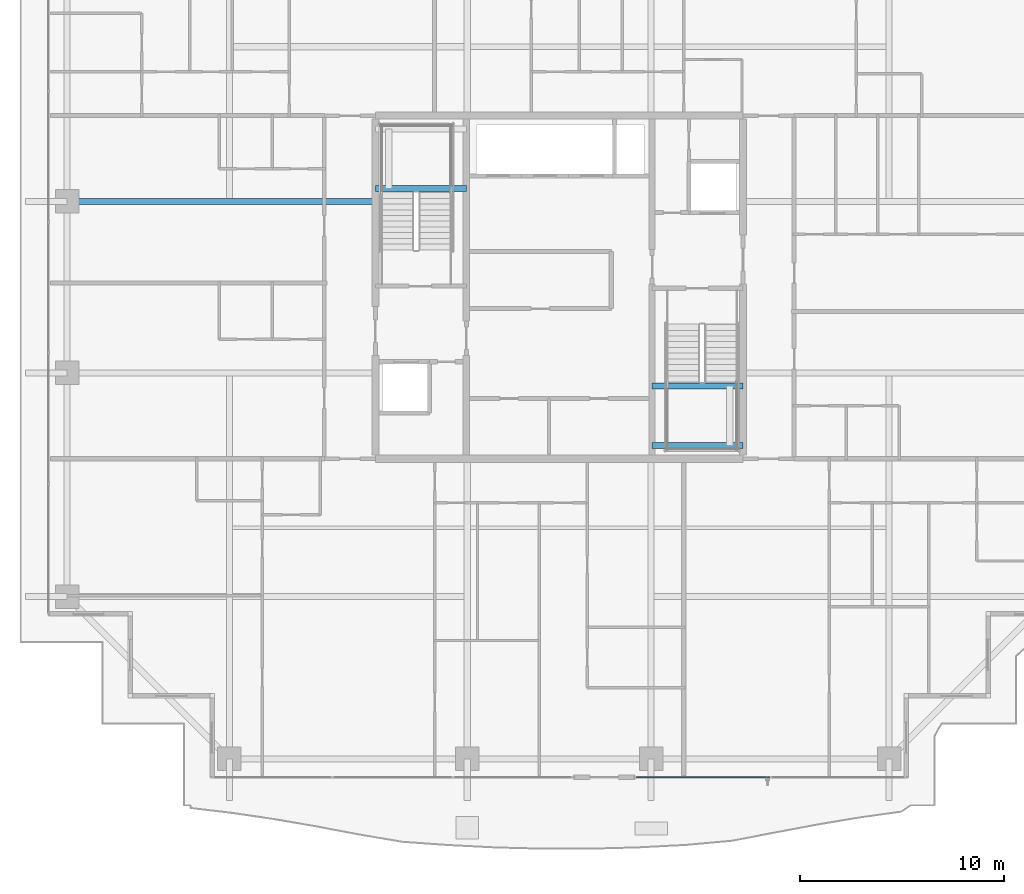
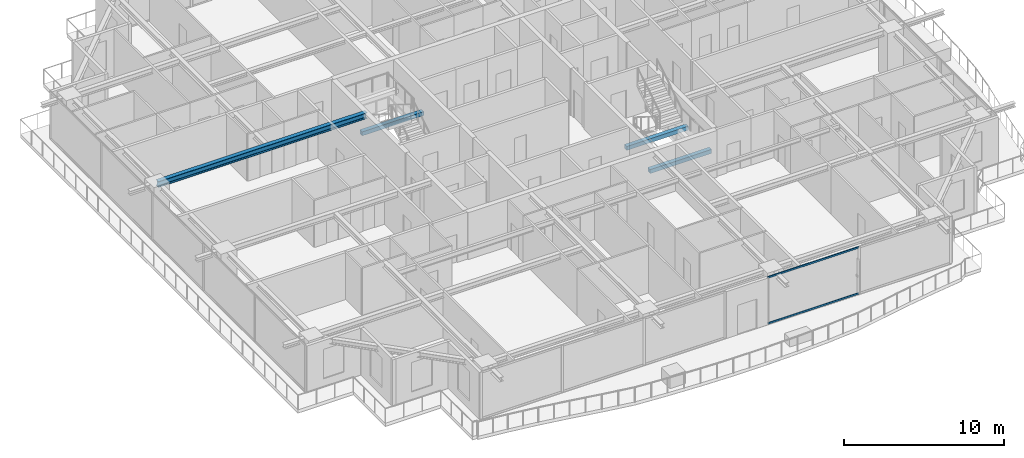
# One storey, part 10 of 38: 4 beams, 2 members, 1 element without a shape of its own.
"""IFC4 building model written with IfcOpenShell, lengths in metres."""

from ifc_helpers import new_model, si_unit, direction, frame, origin, origin_2d, place, context, subcontext, project, spatial, rectangle, hollow_rectangle, i_section, extrude, source, transform, mapped, material, layer, layer_set, material_profile, profile_set, type_object, element, aggregate, save


model = new_model("IFC4")

# Units and contexts
model_context = context("Model", 3, precision=1e-05, world=origin(), true_north=direction((0.0, 1.0)))
body_context = subcontext(model_context, "Body", "Model", "MODEL_VIEW")
ifc_project = project(units=[si_unit("LENGTHUNIT", "METRE"), si_unit("AREAUNIT", "SQUARE_METRE"), si_unit("VOLUMEUNIT", "CUBIC_METRE"), si_unit("PLANEANGLEUNIT", "RADIAN"), si_unit("MASSUNIT", "GRAM", prefix="KILO")], contexts=[model_context])

# Site, building, storey
site_placement = place(None, origin())
site = spatial("IfcSite", under=ifc_project, at=site_placement, CompositionType="ELEMENT")
building_placement = place(site_placement, origin())
building = spatial("IfcBuilding", under=site, at=building_placement, Name="Serunith Strait Residences", CompositionType="ELEMENT")
storey_placement = place(building_placement, frame((0.0, 0.0, 229.699951171875)))
storey = spatial("IfcBuildingStorey", under=building, at=storey_placement, Name="L57", CompositionType="ELEMENT", Elevation=229.699951171875)

# Beams
ifc_material_1 = material(Name="Steel S355J2", Category="steel")
ifc_material_profile_1 = material_profile(ifc_material_1, i_section(OverallWidth=0.300048828125, OverallDepth=0.449951171875, WebThickness=0.013916015625, FlangeThickness=0.02587890625, FilletRadius=0.027099609375, at=origin_2d()), Name="HEB 450")
ifc_profile_set_1 = profile_set([ifc_material_profile_1], Name="Steel S355J2")
beam_type_1 = type_object("IfcBeamType", Name="BM-HEB450", PredefinedType="BEAM", material=ifc_profile_set_1)
shared_shape_1 = source(origin(), body_context, "Body", "SweptSolid", [
    extrude(i_section(OverallWidth=0.300048828125, OverallDepth=0.449951171875, WebThickness=0.013916015625, FlangeThickness=0.02587890625, FilletRadius=0.027099609375, at=origin_2d()), origin(), (0.0, 0.0, 1.0), 15.099853515625),
])
beam_1_placement = place(storey_placement, frame((23.39990234375, 29.39990234375, 3.362060546875), z_axis=(-1.0, 0.0, 0.0), x_axis=(0.0, -1.0, 0.0)))
element("IfcBeam", 1, at=beam_1_placement, inside=storey, type_object=beam_type_1, Name="L57 Primary Floor Girder TC-W3", PredefinedType="BEAM", context=body_context, shape_type="MappedRepresentation", body=[
    mapped(shared_shape_1, transform((0.0, 0.0, 0.0), scale=1.0)),
])
ifc_material_2 = material(Name="Concrete C60/75", Category="concrete")
ifc_material_profile_2 = material_profile(ifc_material_2, rectangle(XDim=0.300048828125, YDim=0.300048828125, at=origin_2d()), Name="RC 300x300")
ifc_profile_set_2 = profile_set([ifc_material_profile_2], Name="Concrete C60/75")
beam_type_2 = type_object("IfcBeamType", Name="BM-LAND-300x300", PredefinedType="BEAM", material=ifc_profile_set_2)
shared_shape_2 = source(origin(), body_context, "Body", "SweptSolid", [
    extrude(rectangle(XDim=0.300048828125, YDim=0.300048828125, at=origin_2d()), origin(), (0.0, 0.0, 1.0), 4.4501953125),
])
beam_2_placement = place(storey_placement, frame((23.39990234375, 30.030029296875, 1.574951171875), z_axis=(1.0, 0.0, 0.0), x_axis=(0.0, 1.0, 0.0)))
element("IfcBeam", 2, at=beam_2_placement, inside=storey, type_object=beam_type_2, Name="L57 ST-1 Landing Support Beam 1", PredefinedType="BEAM", context=body_context, shape_type="MappedRepresentation", body=[
    mapped(shared_shape_2, transform((0.0, 0.0, 0.0), scale=1.0)),
])
shared_shape_3 = source(origin(), body_context, "Body", "SweptSolid", [
    extrude(rectangle(XDim=0.300048828125, YDim=0.300048828125, at=origin_2d()), origin(), (0.0, 0.0, 1.0), 4.449951171875),
])
for number, where, z_axis, x_axis, name in (
    (3, (36.949951171875, 17.449951171875, 1.574951171875), (1.0, 0.0, 0.0), (0.0, 1.0, 0.0), "L57 ST-2 Landing Support Beam 1"),
    (4, (36.949951171875, 20.3701171875, 1.574951171875), (1.0, 0.0, 0.0), (0.0, 1.0, 0.0), "L57 ST-2 Landing Support Beam 2"),
):
    element("IfcBeam", number, at=place(storey_placement, frame(where, z_axis=z_axis, x_axis=x_axis)), inside=storey, type_object=beam_type_2, Name=name, PredefinedType="BEAM", context=body_context, shape_type="MappedRepresentation", body=[
        mapped(shared_shape_3, transform((0.0, 0.0, 0.0), scale=1.0)),
    ])

# Curtain wall, members
ifc_material_3 = material(Name="Pale-Champagne Anodised Aluminium", Category="aluminium")
ifc_layer = layer(ifc_material_3, 0.199951171875, Name="Pale-Champagne Anodised Aluminium")
ifc_layer_set = layer_set([ifc_layer], Name="Pale-Champagne Anodised Aluminium")
curtain_wall_type = type_object("IfcCurtainWallType", Name="CW-SYS4", PredefinedType="NOTDEFINED", material=ifc_layer_set)
curtain_wall_placement = place(storey_placement, origin())
curtain_wall = element("IfcCurtainWall", 5, at=curtain_wall_placement, inside=storey, type_object=curtain_wall_type, Name="L57 S Unitised Fritted Curtain Wall", PredefinedType="NOTDEFINED")
ifc_material_profile_3 = material_profile(ifc_material_3, hollow_rectangle(XDim=0.06005859375, YDim=0.139892578125, WallThickness=0.00341796875, InnerFilletRadius=0.00537109375, OuterFilletRadius=0.0087890625, at=origin_2d()), Name="ALU 140x60x3.5")
ifc_profile_set_3 = profile_set([ifc_material_profile_3], Name="Pale-Champagne Anodised Aluminium")
member_type = type_object("IfcMemberType", Name="CW-SYS4-TRAN", PredefinedType="USERDEFINED", material=ifc_profile_set_3)
shared_shape_4 = source(origin(), body_context, "Body", "SweptSolid", [
    extrude(hollow_rectangle(XDim=0.06005859375, YDim=0.139892578125, WallThickness=0.00341796875, InnerFilletRadius=0.00537109375, OuterFilletRadius=0.0087890625, at=origin_2d()), origin(), (0.0, 0.0, 1.0), 6.552490234375),
])
member_1_placement = place(storey_placement, frame((36.1650390625, 1.199951171875, 0.030029296875), z_axis=(1.0, 0.0, 0.0), x_axis=(0.0, 1.0, 0.0)))
member_1 = element("IfcMember", 6, at=member_1_placement, type_object=member_type, Name="CW-4 transom 1.1", ObjectType="TRANSOM", PredefinedType="USERDEFINED", context=body_context, shape_type="MappedRepresentation", body=[
    mapped(shared_shape_4, transform((0.0, 0.0, 0.0), scale=1.0)),
])
member_2_placement = place(storey_placement, frame((36.1650390625, 1.199951171875, 3.545166015625), z_axis=(1.0, 0.0, 0.0), x_axis=(0.0, 1.0, 0.0)))
member_2 = element("IfcMember", 7, at=member_2_placement, type_object=member_type, Name="CW-4 transom 1.2", ObjectType="TRANSOM", PredefinedType="USERDEFINED", context=body_context, shape_type="MappedRepresentation", body=[
    mapped(shared_shape_4, transform((0.0, 0.0, 0.0), scale=1.0)),
])
aggregate(curtain_wall, [member_1, member_2])

save(model, "model.ifc")
